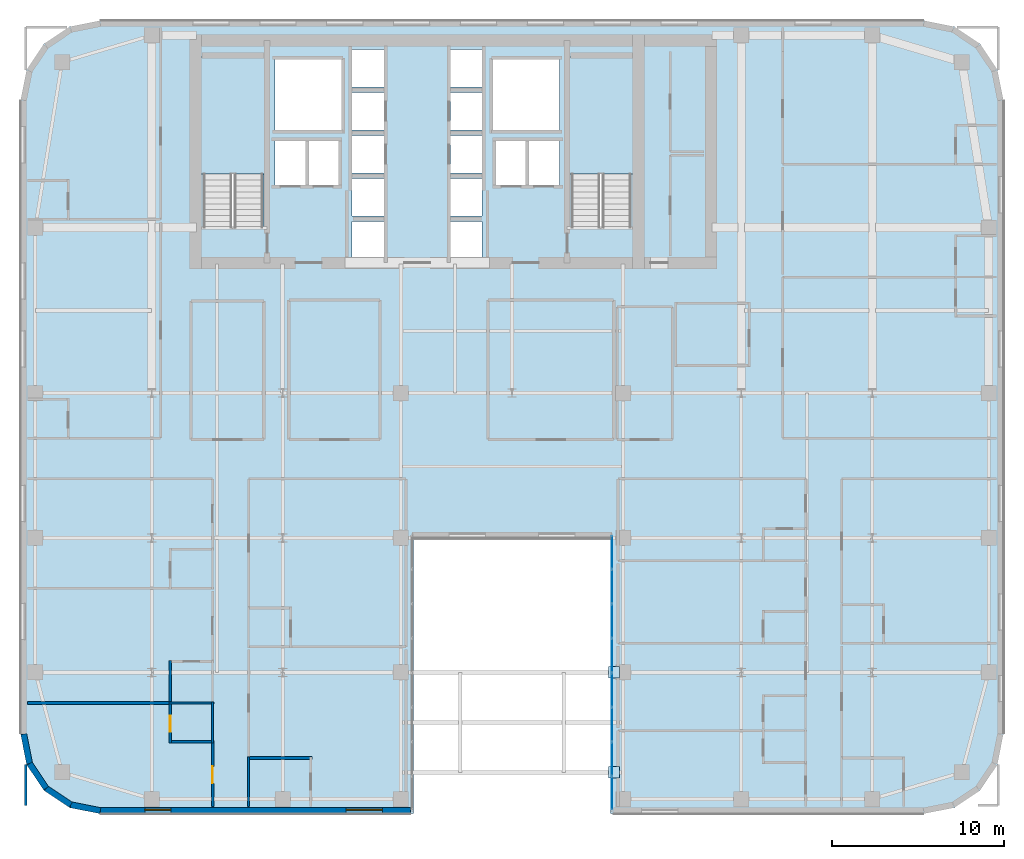
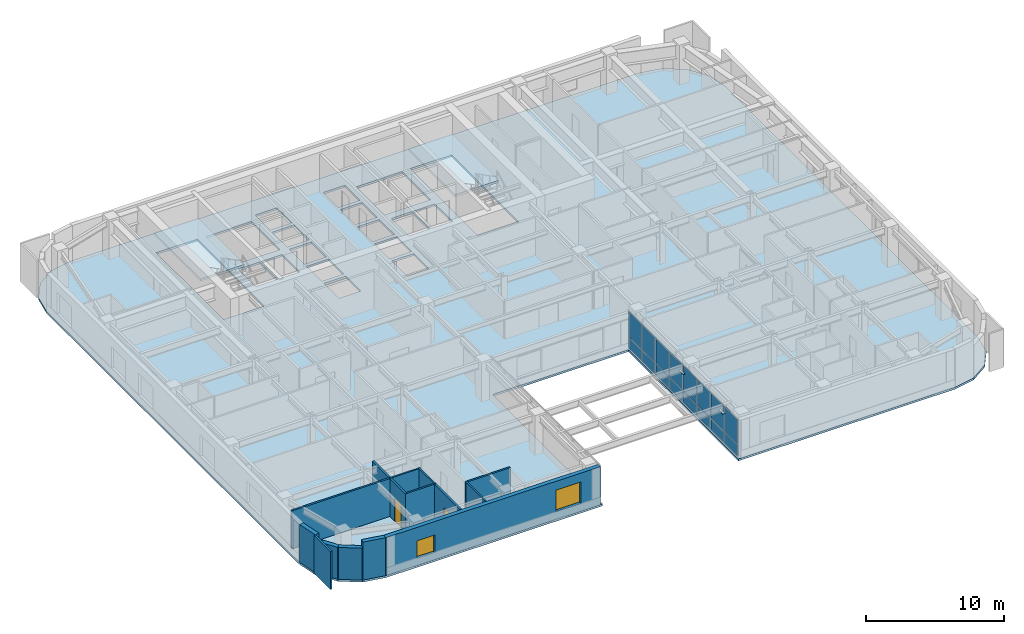
# One storey, part 13 of 24: 18 plates, 15 walls, 3 slabs, 2 doors, 2 windows, 4 openings, 3 elements without a shape of their own.
"""IFC4 building model written with IfcOpenShell, lengths in metres."""

import ifcopenshell
import ifcopenshell.guid

model = None  # the IFC model being written
_history = None  # IfcOwnerHistory: only IFC2X3 demands one
_inside = {}  # id of a spatial element -> (the spatial element, [elements in it])
_under = {}  # id of a project, library or spatial element -> (it, [spatial elements below it])
_declared = {}  # id of a project -> (the project, [libraries it declares])
_typed = {}  # id of a type object -> (the type object, [elements of that type])
_made_of = {}  # id of a material, layer set ... -> (it, [elements and type objects made of it])


def new_model(schema):
    """Start an empty IFC model of exactly this schema.

    Asked for "IFC4X3", IfcOpenShell would pick the latest addendum, in which some entities
    have other attributes; the version numbers below select the first issue.
    IFC2X3 requires an IfcOwnerHistory on every rooted entity: one is made here for all.
    """
    global model, _history
    if schema == "IFC4X3":
        model = ifcopenshell.file(schema_version=(4, 3, 0, 0))
    else:
        model = ifcopenshell.file(schema=schema)
    _inside.clear()
    _under.clear()
    _declared.clear()
    _typed.clear()
    _made_of.clear()
    _history = None
    if model.schema == "IFC2X3":
        org = make("IfcOrganization", Name="unknown")
        user = make(
            "IfcPersonAndOrganization",
            ThePerson=make("IfcPerson", FamilyName="unknown"),
            TheOrganization=org,
        )
        app = make(
            "IfcApplication",
            ApplicationDeveloper=org,
            Version="unknown",
            ApplicationFullName="unknown",
            ApplicationIdentifier="unknown",
        )
        _history = make(
            "IfcOwnerHistory",
            OwningUser=user,
            OwningApplication=app,
            ChangeAction="ADDED",
            CreationDate=0,
        )
    return model


def make(cls, **values):
    """One entity of the class cls with the attributes given. An attribute that is None is left unset."""
    return model.create_entity(
        cls, **{name: value for name, value in values.items() if value is not None}
    )


def rooted(cls, **values):
    """An entity with a GlobalId (a new one), such as an element, a storey or a relation."""
    return make(cls, GlobalId=ifcopenshell.guid.new(), OwnerHistory=_history, **values)


def si_unit(unit_type, name, prefix=None):
    """IfcSIUnit, for example si_unit("LENGTHUNIT", "METRE", prefix="MILLI")."""
    return make("IfcSIUnit", UnitType=unit_type, Prefix=prefix, Name=name)


def assignment(units):
    """IfcUnitAssignment: the units of a project."""
    return None if units is None else make("IfcUnitAssignment", Units=units)


def point(xyz):
    """IfcCartesianPoint."""
    return None if xyz is None else make("IfcCartesianPoint", Coordinates=xyz)


def direction(xyz):
    """IfcDirection."""
    return None if xyz is None else make("IfcDirection", DirectionRatios=xyz)


def frame(location, z_axis=None, x_axis=None):
    """IfcAxis2Placement3D, a coordinate frame: its origin and axes. An axis left out is left unset."""
    return make(
        "IfcAxis2Placement3D",
        Location=point(location),
        Axis=direction(z_axis),
        RefDirection=direction(x_axis),
    )


def frame_2d(location, x_axis=None):
    """IfcAxis2Placement2D, a coordinate frame in the plane: its origin and x axis."""
    return make(
        "IfcAxis2Placement2D", Location=point(location), RefDirection=direction(x_axis)
    )


def origin():
    """The frame at (0, 0, 0) with its axes left unset."""
    return frame((0.0, 0.0, 0.0))


def origin_2d():
    """The frame at (0, 0) in the plane with its x axis left unset."""
    return frame_2d((0.0, 0.0))


def place(relative_to, where):
    """IfcLocalPlacement: puts the frame where relative to a parent placement (None: the world)."""
    return make(
        "IfcLocalPlacement", PlacementRelTo=relative_to, RelativePlacement=where
    )


def context(
    kind, dimensions, precision=None, world=None, true_north=None, identifier=None
):
    """IfcGeometricRepresentationContext, for example the 3D "Model" context."""
    return make(
        "IfcGeometricRepresentationContext",
        ContextIdentifier=identifier,
        ContextType=kind,
        CoordinateSpaceDimension=dimensions,
        Precision=precision,
        WorldCoordinateSystem=world,
        TrueNorth=true_north,
    )


def subcontext(parent, identifier, kind, view, scale=None):
    """IfcGeometricRepresentationSubContext, for example "Body" below "Model"."""
    return make(
        "IfcGeometricRepresentationSubContext",
        ContextIdentifier=identifier,
        ContextType=kind,
        ParentContext=parent,
        TargetScale=scale,
        TargetView=view,
    )


def project(units=None, contexts=None):
    """IfcProject with its units and contexts."""
    return rooted(
        "IfcProject",
        Name="project",
        RepresentationContexts=contexts,
        UnitsInContext=assignment(units),
    )


def spatial(cls, under=None, at=None, **own):
    """A site, building, storey or space (cls), placed at a placement, below another one or the project."""
    s = rooted(cls, ObjectPlacement=at, **own)
    if under is not None:
        _under.setdefault(under.id(), (under, []))[1].append(s)
    return s


def polyline(points):
    """IfcPolyline through the points."""
    return make("IfcPolyline", Points=[point(p) for p in points])


def profile(cls, at=None, kind="AREA", **sizes):
    """A parametric profile (cls). Its sizes go by their IFC names, for example OverallWidth=200.0."""
    return make(cls, ProfileType=kind, Position=at, **sizes)


def rectangle(**sizes):
    """IfcRectangleProfileDef."""
    return profile("IfcRectangleProfileDef", **sizes)


def outline(outer, holes=None, kind="AREA"):
    """IfcArbitraryClosedProfileDef: a profile drawn as a closed curve; with holes, ...WithVoids."""
    if holes is None:
        return make("IfcArbitraryClosedProfileDef", ProfileType=kind, OuterCurve=outer)
    return make(
        "IfcArbitraryProfileDefWithVoids",
        ProfileType=kind,
        OuterCurve=outer,
        InnerCurves=holes,
    )


def extrude(swept, where, along, depth):
    """IfcExtrudedAreaSolid: the profile swept, set in the frame where, extruded along a direction by depth."""
    return make(
        "IfcExtrudedAreaSolid",
        SweptArea=swept,
        Position=where,
        ExtrudedDirection=direction(along),
        Depth=depth,
    )


def shape(context_of_items, identifier, shape_type, items):
    """IfcShapeRepresentation: the items that make up one representation, for example the "Body"."""
    return make(
        "IfcShapeRepresentation",
        ContextOfItems=context_of_items,
        RepresentationIdentifier=identifier,
        RepresentationType=shape_type,
        Items=items,
    )


def source(mapping_origin, context_of_items, identifier, shape_type, items):
    """IfcRepresentationMap: a shape defined once, which mapped items show again and again."""
    return make(
        "IfcRepresentationMap",
        MappingOrigin=mapping_origin,
        MappedRepresentation=shape(context_of_items, identifier, shape_type, items),
    )


def transform(
    local_origin,
    x_axis=None,
    y_axis=None,
    z_axis=None,
    scale=None,
    scale2=None,
    scale3=None,
    uniform=True,
):
    """IfcCartesianTransformationOperator3D, or its non-uniform kind. x_axis, y_axis, z_axis: its Axis1, 2, 3."""
    if uniform:
        return make(
            "IfcCartesianTransformationOperator3D",
            Axis1=direction(x_axis),
            Axis2=direction(y_axis),
            LocalOrigin=point(local_origin),
            Scale=scale,
            Axis3=direction(z_axis),
        )
    return make(
        "IfcCartesianTransformationOperator3DnonUniform",
        Axis1=direction(x_axis),
        Axis2=direction(y_axis),
        LocalOrigin=point(local_origin),
        Scale=scale,
        Axis3=direction(z_axis),
        Scale2=scale2,
        Scale3=scale3,
    )


def mapped(mapping_source, mapping_target):
    """IfcMappedItem: shows the shape of a source again, moved by a transform."""
    return make(
        "IfcMappedItem", MappingSource=mapping_source, MappingTarget=mapping_target
    )


def material(Name=None, Category=None):
    """IfcMaterial."""
    return make("IfcMaterial", Name=Name, Category=Category)


def layer(
    of_material, thickness, ventilated=None, Name=None, Category=None, Priority=None
):
    """IfcMaterialLayer: one layer of a wall or slab, of a material (None: an air gap)."""
    return make(
        "IfcMaterialLayer",
        Material=of_material,
        LayerThickness=thickness,
        IsVentilated=ventilated,
        Name=Name,
        Category=Category,
        Priority=Priority,
    )


def layer_set(layers, Name=None):
    """IfcMaterialLayerSet."""
    return make("IfcMaterialLayerSet", MaterialLayers=layers, LayerSetName=Name)


def made_of(thing, what):
    """Note that an element or type object is made of a material, layer set ...; save() writes the relation."""
    if what is not None:
        _made_of.setdefault(what.id(), (what, []))[1].append(thing)
    return thing


def type_object(cls, material=None, **own):
    """A type object (cls), such as IfcWallType, which elements share."""
    return made_of(rooted(cls, **own), material)


def type_shapes(of_type, sources):
    """Give a type object the sources (RepresentationMaps) that its elements show as mapped items."""
    of_type.RepresentationMaps = sources


def element(
    cls,
    number,
    at=None,
    inside=None,
    cuts=None,
    type_object=None,
    material=None,
    context=None,
    identifier="Body",
    shape_type=None,
    held_by="IfcProductDefinitionShape",
    body=None,
    shapes=None,
    **own,
):
    """One element of the class cls, such as IfcWall. Its Tag is "e" and its number.

    at: its placement. inside: the storey or other place that contains it. cuts: it is an
    opening in that element (IfcRelVoidsElement). A single representation is given by context,
    identifier, shape_type and body (its items); several are given by shapes. held_by: the class
    of the entity that holds the representations. save() writes the other relations.
    """
    e = rooted(cls, Tag="e%d" % number, ObjectPlacement=at, **own)
    if body is not None:
        shapes = [shape(context, identifier, shape_type, body)]
    if shapes is not None:
        e.Representation = make(held_by, Representations=shapes)
    if inside is not None:
        _inside.setdefault(inside.id(), (inside, []))[1].append(e)
    if cuts is not None:
        rooted(
            "IfcRelVoidsElement", RelatingBuildingElement=cuts, RelatedOpeningElement=e
        )
    if type_object is not None:
        _typed.setdefault(type_object.id(), (type_object, []))[1].append(e)
    return made_of(e, material)


def fill(opening, filler):
    """IfcRelFillsElement: the door or window that sits in an opening."""
    return rooted(
        "IfcRelFillsElement",
        RelatingOpeningElement=opening,
        RelatedBuildingElement=filler,
    )


def aggregate(whole, parts):
    """IfcRelAggregates: a whole, such as a stair, and the parts it consists of."""
    return rooted("IfcRelAggregates", RelatingObject=whole, RelatedObjects=parts)


def save(model, path):
    """Write the relations noted so far, then the file.

    IfcRelAggregates (storeys below a building ...), IfcRelContainedInSpatialStructure (elements
    in a storey), IfcRelDefinesByType, IfcRelAssociatesMaterial and IfcRelDeclares: one each for
    every whole, place, type object, material and project.
    """
    for whole, parts in _under.values():
        aggregate(whole, parts)
    for where, things in _inside.values():
        rooted(
            "IfcRelContainedInSpatialStructure",
            RelatedElements=things,
            RelatingStructure=where,
        )
    for kind, things in _typed.values():
        rooted("IfcRelDefinesByType", RelatedObjects=things, RelatingType=kind)
    for what, things in _made_of.values():
        rooted("IfcRelAssociatesMaterial", RelatedObjects=things, RelatingMaterial=what)
    for by, libraries in _declared.values():
        rooted("IfcRelDeclares", RelatingContext=by, RelatedDefinitions=libraries)
    model.write(path)


model = new_model("IFC4")

# Units and contexts
model_context = context("Model", 3, precision=1e-05, world=origin(), true_north=direction((0.0, 1.0)))
body_context = subcontext(model_context, "Body", "Model", "MODEL_VIEW")
ifc_project = project(units=[si_unit("LENGTHUNIT", "METRE"), si_unit("AREAUNIT", "SQUARE_METRE"), si_unit("VOLUMEUNIT", "CUBIC_METRE"), si_unit("PLANEANGLEUNIT", "RADIAN"), si_unit("MASSUNIT", "GRAM", prefix="KILO")], contexts=[model_context])

# Site, building, storey
site_placement = place(None, origin())
site = spatial("IfcSite", under=ifc_project, at=site_placement, CompositionType="ELEMENT")
building_placement = place(site_placement, origin())
building = spatial("IfcBuilding", under=site, at=building_placement, Name="Tolvann Quenvar Hotel", CompositionType="ELEMENT")
storey_placement = place(building_placement, frame((0.0, 0.0, 118.64990234375)))
storey = spatial("IfcBuildingStorey", under=building, at=storey_placement, Name="L30", CompositionType="ELEMENT", Elevation=118.64990234375)

# Stair, slab
ifc_material_1 = material(Name="Concrete N40 (40 MPa)", Category="concrete")
stair_type = type_object("IfcStairType", Name="STAIR", PredefinedType="HALF_TURN_STAIR", material=ifc_material_1)
stair_1_placement = place(storey_placement, origin())
stair_1 = element("IfcStair", 1, at=stair_1_placement, inside=storey, type_object=stair_type, Name="L30 ST-C1", PredefinedType="HALF_TURN_STAIR")
ifc_layer_1 = layer(ifc_material_1, 0.199951171875)
ifc_layer_set_1 = layer_set([ifc_layer_1], Name="Concrete N40 (40 MPa)")
slab_type_1 = type_object("IfcSlabType", Name="SLAB_LANDING", PredefinedType="LANDING", material=ifc_layer_set_1)
slab_1_placement = place(storey_placement, frame((0.0, 0.0, 1.5751953125)))
slab_1 = element("IfcSlab", 2, at=slab_1_placement, type_object=slab_type_1, Name="ST-C1 landing 1", PredefinedType="LANDING", context=body_context, shape_type="SweptSolid", body=[
    extrude(outline(polyline([(14.179931640625, 37.10498046875), (14.179931640625, 43.8798828125), (10.469970703125, 43.8798828125), (10.469970703125, 37.10498046875), (14.179931640625, 37.10498046875)])), origin(), (0.0, 0.0, 1.0), 0.199951171875),
])
aggregate(stair_1, [slab_1])

stair_2_placement = place(storey_placement, origin())
stair_2 = element("IfcStair", 3, at=stair_2_placement, inside=storey, type_object=stair_type, Name="L30 ST-C2", PredefinedType="HALF_TURN_STAIR")
slab_2_placement = place(storey_placement, frame((0.0, 0.0, 1.5751953125)))
slab_2 = element("IfcSlab", 4, at=slab_2_placement, type_object=slab_type_1, Name="ST-C2 landing 1", PredefinedType="LANDING", context=body_context, shape_type="SweptSolid", body=[
    extrude(outline(polyline([(35.530029296875, 37.10498046875), (35.530029296875, 43.8798828125), (31.820068359375, 43.8798828125), (31.820068359375, 37.10498046875), (35.530029296875, 37.10498046875)])), origin(), (0.0, 0.0, 1.0), 0.199951171875),
])
aggregate(stair_2, [slab_2])

# Slab
ifc_layer_2 = layer(ifc_material_1, 0.179931640625)
ifc_layer_set_2 = layer_set([ifc_layer_2], Name="Concrete N40 (40 MPa)")
slab_type_2 = type_object("IfcSlabType", Name="SLAB_TWR_180", PredefinedType="FLOOR", material=ifc_layer_set_2)
slab_3_placement = place(storey_placement, frame((0.0, 0.0, -0.179931640625)))
element("IfcSlab", 5, at=slab_3_placement, inside=storey, type_object=slab_type_2, Name="Level L30 Structural Floor Slab", PredefinedType="FLOOR", context=body_context, shape_type="SweptSolid", body=[
    extrude(outline(polyline([(0.0, 4.60009765625), (0.35009765625, 2.839599609375), (1.347412109375, 1.347412109375), (2.839599609375, 0.35009765625), (4.60009765625, 0.0), (22.800048828125, 0.0), (22.800048828125, 16.0), (34.199951171875, 16.0), (34.199951171875, 0.0), (52.39990234375, 0.0), (54.160400390625, 0.35009765625), (55.652587890625, 1.347412109375), (56.64990234375, 2.839599609375), (57.0, 4.60009765625), (57.0, 41.39990234375), (56.64990234375, 43.160400390625), (55.652587890625, 44.652587890625), (54.160400390625, 45.64990234375), (52.39990234375, 46.0), (4.60009765625, 46.0), (2.839599609375, 45.64990234375), (1.347412109375, 44.652587890625), (0.35009765625, 43.160400390625), (0.0, 41.39990234375), (0.0, 4.60009765625)]), holes=[polyline([(31.949951171875, 34.02490234375), (31.949951171875, 43.800048828125), (35.39990234375, 43.800048828125), (35.39990234375, 34.02490234375), (31.949951171875, 34.02490234375)]), polyline([(29.449951171875, 39.02001953125), (31.25, 39.02001953125), (31.25, 36.47998046875), (29.449951171875, 36.47998046875), (29.449951171875, 39.02001953125)]), polyline([(31.25, 43.75), (31.25, 39.64990234375), (27.39990234375, 39.64990234375), (27.39990234375, 43.75), (31.25, 43.75)]), polyline([(27.574951171875, 39.02001953125), (29.324951171875, 39.02001953125), (29.324951171875, 36.47998046875), (27.574951171875, 36.47998046875), (27.574951171875, 39.02001953125)]), polyline([(26.77001953125, 44.340087890625), (26.77001953125, 42.159912109375), (24.929931640625, 42.159912109375), (24.929931640625, 44.340087890625), (26.77001953125, 44.340087890625)]), polyline([(24.929931640625, 41.840087890625), (26.77001953125, 41.840087890625), (26.77001953125, 39.659912109375), (24.929931640625, 39.659912109375), (24.929931640625, 41.840087890625)]), polyline([(24.929931640625, 39.340087890625), (26.77001953125, 39.340087890625), (26.77001953125, 37.159912109375), (24.929931640625, 37.159912109375), (24.929931640625, 39.340087890625)]), polyline([(24.929931640625, 36.840087890625), (26.77001953125, 36.840087890625), (26.77001953125, 34.659912109375), (24.929931640625, 34.659912109375), (24.929931640625, 36.840087890625)]), polyline([(24.929931640625, 34.340087890625), (26.77001953125, 34.340087890625), (26.77001953125, 32.159912109375), (24.929931640625, 32.159912109375), (24.929931640625, 34.340087890625)]), polyline([(21.070068359375, 44.340087890625), (21.070068359375, 42.159912109375), (19.22998046875, 42.159912109375), (19.22998046875, 44.340087890625), (21.070068359375, 44.340087890625)]), polyline([(19.22998046875, 41.840087890625), (21.070068359375, 41.840087890625), (21.070068359375, 39.659912109375), (19.22998046875, 39.659912109375), (19.22998046875, 41.840087890625)]), polyline([(19.22998046875, 39.340087890625), (21.070068359375, 39.340087890625), (21.070068359375, 37.159912109375), (19.22998046875, 37.159912109375), (19.22998046875, 39.340087890625)]), polyline([(19.22998046875, 36.840087890625), (21.070068359375, 36.840087890625), (21.070068359375, 34.659912109375), (19.22998046875, 34.659912109375), (19.22998046875, 36.840087890625)]), polyline([(19.22998046875, 34.340087890625), (21.070068359375, 34.340087890625), (21.070068359375, 32.159912109375), (19.22998046875, 32.159912109375), (19.22998046875, 34.340087890625)]), polyline([(18.60009765625, 43.75), (18.60009765625, 39.64990234375), (14.75, 39.64990234375), (14.75, 43.75), (18.60009765625, 43.75)]), polyline([(16.675048828125, 39.02001953125), (18.425048828125, 39.02001953125), (18.425048828125, 36.47998046875), (16.675048828125, 36.47998046875), (16.675048828125, 39.02001953125)]), polyline([(14.75, 39.02001953125), (16.550048828125, 39.02001953125), (16.550048828125, 36.47998046875), (14.75, 36.47998046875), (14.75, 39.02001953125)]), polyline([(10.60009765625, 34.02490234375), (10.60009765625, 43.800048828125), (14.050048828125, 43.800048828125), (14.050048828125, 34.02490234375), (10.60009765625, 34.02490234375)])]), origin(), (0.0, 0.0, 1.0), 0.179931640625),
])

# Plates
ifc_material_2 = material(Name="Steel Grade 350", Category="steel")
ifc_layer_3 = layer(ifc_material_2, 0.050048828125)
ifc_layer_set_3 = layer_set([ifc_layer_3], Name="Steel Grade 350")
plate_type_1 = type_object("IfcPlateType", Name="PLT_BASE_50", PredefinedType="SHEET", material=ifc_layer_set_3)
shared_shape_1 = source(origin(), body_context, "Body", "SweptSolid", [
    extrude(rectangle(XDim=0.64990234375, YDim=0.64990234375, at=origin_2d()), origin(), (0.0, 0.0, 1.0), 0.050048828125),
])
type_shapes(plate_type_1, [shared_shape_1])
for number, where, z_axis, x_axis, name in (
    (6, (34.425048828125, 2.39990234375, 2.7080078125), (0.0, 0.0, 1.0), (1.0, 0.0, 0.0), "Skybridge PTFE Sliding Bearing Seat Plate 650mm (L31-S)"),
    (7, (34.425048828125, 8.199951171875, 2.7080078125), (0.0, 0.0, 1.0), (1.0, 0.0, 0.0), "Skybridge PTFE Sliding Bearing Seat Plate 650mm (L31-N)"),
):
    element("IfcPlate", number, at=place(storey_placement, frame(where, z_axis=z_axis, x_axis=x_axis)), inside=storey, type_object=plate_type_1, Name=name, PredefinedType="SHEET", context=body_context, shape_type="MappedRepresentation", body=[
        mapped(shared_shape_1, transform((0.0, 0.0, 0.0), x_axis=(1.0, 0.0, 0.0), y_axis=(0.0, 1.0, 0.0), z_axis=(0.0, 0.0, 1.0), scale=1.0)),
    ])

# Curtain wall, plates
ifc_material_3 = material(Name="Thermally broken anodised architectural aluminium 6063-T6 and laminated low-E glass", Category="aluminium")
ifc_layer_4 = layer(ifc_material_3, 0.179931640625)
ifc_layer_set_4 = layer_set([ifc_layer_4], Name="Thermally broken anodised architectural aluminium 6063-T6 and laminated low-E glass")
curtain_wall_type = type_object("IfcCurtainWallType", Name="CW_SYS_SLOT_03", PredefinedType="USERDEFINED", material=ifc_layer_set_4)
curtain_wall_placement = place(storey_placement, origin())
curtain_wall = element("IfcCurtainWall", 8, at=curtain_wall_placement, inside=storey, type_object=curtain_wall_type, Name="Curtain Wall CW-SLOT-03 (CWR-L30-E07)", ObjectType="UNITISED CURTAIN WALL", PredefinedType="USERDEFINED")
ifc_material_4 = material(Name="Low-iron laminated double glazing with solar-control coating", Category="glass")
ifc_layer_5 = layer(ifc_material_4, 0.028076171875)
ifc_layer_set_5 = layer_set([ifc_layer_5], Name="Low-iron laminated double glazing with solar-control coating")
plate_type_2 = type_object("IfcPlateType", Name="CW_PAN_VISION_28", PredefinedType="CURTAIN_PANEL", material=ifc_layer_set_5)
shared_shape_2 = source(origin(), body_context, "Body", "SweptSolid", [
    extrude(rectangle(XDim=1.89501953125, YDim=0.028076171875, at=origin_2d()), origin(), (0.0, 0.0, 1.0), 0.9599609375),
])
plate_1_placement = place(storey_placement, frame((34.2900390625, 15.157470703125, 0.06005859375), z_axis=(0.0, 0.0, 1.0), x_axis=(0.0, -1.0, 0.0)))
plate_1 = element("IfcPlate", 9, at=plate_1_placement, type_object=plate_type_2, Name="CW-SLOT-03 panel 1.1", PredefinedType="CURTAIN_PANEL", context=body_context, shape_type="MappedRepresentation", body=[
    mapped(shared_shape_2, transform((0.0, 0.0, 0.0), x_axis=(1.0, 0.0, 0.0), y_axis=(0.0, 1.0, 0.0), z_axis=(0.0, 0.0, 1.0), scale=1.0)),
])
plate_2_placement = place(storey_placement, frame((34.2900390625, 1.1923828125, 0.06005859375), z_axis=(0.0, 0.0, 1.0), x_axis=(0.0, -1.0, 0.0)))
plate_2 = element("IfcPlate", 10, at=plate_2_placement, type_object=plate_type_2, Name="CW-SLOT-03 panel 8.1", PredefinedType="CURTAIN_PANEL", context=body_context, shape_type="MappedRepresentation", body=[
    mapped(shared_shape_2, transform((0.0, 0.0, 0.0), x_axis=(1.0, 0.0, 0.0), y_axis=(0.0, 1.0, 0.0), z_axis=(0.0, 0.0, 1.0), scale=1.0)),
])
shared_shape_3 = source(origin(), body_context, "Body", "SweptSolid", [
    extrude(rectangle(XDim=1.89501953125, YDim=0.028076171875, at=origin_2d()), origin(), (0.0, 0.0, 1.0), 2.22998046875),
])
plate_3_placement = place(storey_placement, frame((34.2900390625, 15.157470703125, 1.080078125), z_axis=(0.0, 0.0, 1.0), x_axis=(0.0, -1.0, 0.0)))
plate_3 = element("IfcPlate", 11, at=plate_3_placement, type_object=plate_type_2, Name="CW-SLOT-03 panel 1.2", PredefinedType="CURTAIN_PANEL", context=body_context, shape_type="MappedRepresentation", body=[
    mapped(shared_shape_3, transform((0.0, 0.0, 0.0), x_axis=(1.0, 0.0, 0.0), y_axis=(0.0, 1.0, 0.0), z_axis=(0.0, 0.0, 1.0), scale=1.0)),
])
plate_4_placement = place(storey_placement, frame((34.2900390625, 1.1923828125, 1.080078125), z_axis=(0.0, 0.0, 1.0), x_axis=(0.0, -1.0, 0.0)))
plate_4 = element("IfcPlate", 12, at=plate_4_placement, type_object=plate_type_2, Name="CW-SLOT-03 panel 8.2", PredefinedType="CURTAIN_PANEL", context=body_context, shape_type="MappedRepresentation", body=[
    mapped(shared_shape_3, transform((0.0, 0.0, 0.0), x_axis=(1.0, 0.0, 0.0), y_axis=(0.0, 1.0, 0.0), z_axis=(0.0, 0.0, 1.0), scale=1.0)),
])
shared_shape_4 = source(origin(), body_context, "Body", "SweptSolid", [
    extrude(rectangle(XDim=1.929931640625, YDim=0.028076171875, at=origin_2d()), origin(), (0.0, 0.0, 1.0), 0.9599609375),
])
plate_5_placement = place(storey_placement, frame((34.2900390625, 13.175048828125, 0.06005859375), z_axis=(0.0, 0.0, 1.0), x_axis=(0.0, -1.0, 0.0)))
plate_5 = element("IfcPlate", 13, at=plate_5_placement, type_object=plate_type_2, Name="CW-SLOT-03 panel 2.1", PredefinedType="CURTAIN_PANEL", context=body_context, shape_type="MappedRepresentation", body=[
    mapped(shared_shape_4, transform((0.0, 0.0, 0.0), x_axis=(1.0, 0.0, 0.0), y_axis=(0.0, 1.0, 0.0), z_axis=(0.0, 0.0, 1.0), scale=1.0)),
])
plate_6_placement = place(storey_placement, frame((34.2900390625, 11.175048828125, 0.06005859375), z_axis=(0.0, 0.0, 1.0), x_axis=(0.0, -1.0, 0.0)))
plate_6 = element("IfcPlate", 14, at=plate_6_placement, type_object=plate_type_2, Name="CW-SLOT-03 panel 3.1", PredefinedType="CURTAIN_PANEL", context=body_context, shape_type="MappedRepresentation", body=[
    mapped(shared_shape_4, transform((0.0, 0.0, 0.0), x_axis=(1.0, 0.0, 0.0), y_axis=(0.0, 1.0, 0.0), z_axis=(0.0, 0.0, 1.0), scale=1.0)),
])
plate_7_placement = place(storey_placement, frame((34.2900390625, 9.175048828125, 0.06005859375), z_axis=(0.0, 0.0, 1.0), x_axis=(0.0, -1.0, 0.0)))
plate_7 = element("IfcPlate", 15, at=plate_7_placement, type_object=plate_type_2, Name="CW-SLOT-03 panel 4.1", PredefinedType="CURTAIN_PANEL", context=body_context, shape_type="MappedRepresentation", body=[
    mapped(shared_shape_4, transform((0.0, 0.0, 0.0), x_axis=(1.0, 0.0, 0.0), y_axis=(0.0, 1.0, 0.0), z_axis=(0.0, 0.0, 1.0), scale=1.0)),
])
plate_8_placement = place(storey_placement, frame((34.2900390625, 7.175048828125, 0.06005859375), z_axis=(0.0, 0.0, 1.0), x_axis=(0.0, -1.0, 0.0)))
plate_8 = element("IfcPlate", 16, at=plate_8_placement, type_object=plate_type_2, Name="CW-SLOT-03 panel 5.1", PredefinedType="CURTAIN_PANEL", context=body_context, shape_type="MappedRepresentation", body=[
    mapped(shared_shape_4, transform((0.0, 0.0, 0.0), x_axis=(1.0, 0.0, 0.0), y_axis=(0.0, 1.0, 0.0), z_axis=(0.0, 0.0, 1.0), scale=1.0)),
])
plate_9_placement = place(storey_placement, frame((34.2900390625, 5.175048828125, 0.06005859375), z_axis=(0.0, 0.0, 1.0), x_axis=(0.0, -1.0, 0.0)))
plate_9 = element("IfcPlate", 17, at=plate_9_placement, type_object=plate_type_2, Name="CW-SLOT-03 panel 6.1", PredefinedType="CURTAIN_PANEL", context=body_context, shape_type="MappedRepresentation", body=[
    mapped(shared_shape_4, transform((0.0, 0.0, 0.0), x_axis=(1.0, 0.0, 0.0), y_axis=(0.0, 1.0, 0.0), z_axis=(0.0, 0.0, 1.0), scale=1.0)),
])
plate_10_placement = place(storey_placement, frame((34.2900390625, 3.175048828125, 0.06005859375), z_axis=(0.0, 0.0, 1.0), x_axis=(0.0, -1.0, 0.0)))
plate_10 = element("IfcPlate", 18, at=plate_10_placement, type_object=plate_type_2, Name="CW-SLOT-03 panel 7.1", PredefinedType="CURTAIN_PANEL", context=body_context, shape_type="MappedRepresentation", body=[
    mapped(shared_shape_4, transform((0.0, 0.0, 0.0), x_axis=(1.0, 0.0, 0.0), y_axis=(0.0, 1.0, 0.0), z_axis=(0.0, 0.0, 1.0), scale=1.0)),
])
shared_shape_5 = source(origin(), body_context, "Body", "SweptSolid", [
    extrude(rectangle(XDim=1.929931640625, YDim=0.028076171875, at=origin_2d()), origin(), (0.0, 0.0, 1.0), 2.22998046875),
])
type_shapes(plate_type_2, [shared_shape_2, shared_shape_3, shared_shape_4, shared_shape_5])
plate_11_placement = place(storey_placement, frame((34.2900390625, 13.175048828125, 1.080078125), z_axis=(0.0, 0.0, 1.0), x_axis=(0.0, -1.0, 0.0)))
plate_11 = element("IfcPlate", 19, at=plate_11_placement, type_object=plate_type_2, Name="CW-SLOT-03 panel 2.2", PredefinedType="CURTAIN_PANEL", context=body_context, shape_type="MappedRepresentation", body=[
    mapped(shared_shape_5, transform((0.0, 0.0, 0.0), x_axis=(1.0, 0.0, 0.0), y_axis=(0.0, 1.0, 0.0), z_axis=(0.0, 0.0, 1.0), scale=1.0)),
])
plate_12_placement = place(storey_placement, frame((34.2900390625, 11.175048828125, 1.080078125), z_axis=(0.0, 0.0, 1.0), x_axis=(0.0, -1.0, 0.0)))
plate_12 = element("IfcPlate", 20, at=plate_12_placement, type_object=plate_type_2, Name="CW-SLOT-03 panel 3.2", PredefinedType="CURTAIN_PANEL", context=body_context, shape_type="MappedRepresentation", body=[
    mapped(shared_shape_5, transform((0.0, 0.0, 0.0), x_axis=(1.0, 0.0, 0.0), y_axis=(0.0, 1.0, 0.0), z_axis=(0.0, 0.0, 1.0), scale=1.0)),
])
plate_13_placement = place(storey_placement, frame((34.2900390625, 9.175048828125, 1.080078125), z_axis=(0.0, 0.0, 1.0), x_axis=(0.0, -1.0, 0.0)))
plate_13 = element("IfcPlate", 21, at=plate_13_placement, type_object=plate_type_2, Name="CW-SLOT-03 panel 4.2", PredefinedType="CURTAIN_PANEL", context=body_context, shape_type="MappedRepresentation", body=[
    mapped(shared_shape_5, transform((0.0, 0.0, 0.0), x_axis=(1.0, 0.0, 0.0), y_axis=(0.0, 1.0, 0.0), z_axis=(0.0, 0.0, 1.0), scale=1.0)),
])
plate_14_placement = place(storey_placement, frame((34.2900390625, 7.175048828125, 1.080078125), z_axis=(0.0, 0.0, 1.0), x_axis=(0.0, -1.0, 0.0)))
plate_14 = element("IfcPlate", 22, at=plate_14_placement, type_object=plate_type_2, Name="CW-SLOT-03 panel 5.2", PredefinedType="CURTAIN_PANEL", context=body_context, shape_type="MappedRepresentation", body=[
    mapped(shared_shape_5, transform((0.0, 0.0, 0.0), x_axis=(1.0, 0.0, 0.0), y_axis=(0.0, 1.0, 0.0), z_axis=(0.0, 0.0, 1.0), scale=1.0)),
])
plate_15_placement = place(storey_placement, frame((34.2900390625, 5.175048828125, 1.080078125), z_axis=(0.0, 0.0, 1.0), x_axis=(0.0, -1.0, 0.0)))
plate_15 = element("IfcPlate", 23, at=plate_15_placement, type_object=plate_type_2, Name="CW-SLOT-03 panel 6.2", PredefinedType="CURTAIN_PANEL", context=body_context, shape_type="MappedRepresentation", body=[
    mapped(shared_shape_5, transform((0.0, 0.0, 0.0), x_axis=(1.0, 0.0, 0.0), y_axis=(0.0, 1.0, 0.0), z_axis=(0.0, 0.0, 1.0), scale=1.0)),
])
plate_16_placement = place(storey_placement, frame((34.2900390625, 3.175048828125, 1.080078125), z_axis=(0.0, 0.0, 1.0), x_axis=(0.0, -1.0, 0.0)))
plate_16 = element("IfcPlate", 24, at=plate_16_placement, type_object=plate_type_2, Name="CW-SLOT-03 panel 7.2", PredefinedType="CURTAIN_PANEL", context=body_context, shape_type="MappedRepresentation", body=[
    mapped(shared_shape_5, transform((0.0, 0.0, 0.0), x_axis=(1.0, 0.0, 0.0), y_axis=(0.0, 1.0, 0.0), z_axis=(0.0, 0.0, 1.0), scale=1.0)),
])
aggregate(curtain_wall, [plate_1, plate_3, plate_5, plate_11, plate_6, plate_12, plate_7, plate_13, plate_8, plate_14, plate_9, plate_15, plate_10, plate_16, plate_2, plate_4])

# Walls
ifc_material_5 = material(Name="Kiln-fired red and buff architectural clay brickwork and terracotta masonry", Category="masonry")
ifc_layer_6 = layer(ifc_material_5, 0.35009765625)
ifc_layer_set_6 = layer_set([ifc_layer_6], Name="Kiln-fired red and buff architectural clay brickwork and terracotta masonry")
wall_type_1 = type_object("IfcWallType", Name="WALL_EXT_BRICK_350", PredefinedType="SOLIDWALL", material=ifc_layer_set_6)
for number, where, z_axis, x_axis, name in (
    (25, (0.514892578125, 2.907958984375, 0.0), (0.0, 0.0, 1.0), (0.55554893791, -0.831483840845, 0.0), "Exterior Chicago Brick Wall L30-E01"),
    (26, (1.473388671875, 1.473388671875, 0.0), (0.0, 0.0, 1.0), (0.831483840845, -0.55554893791, 0.0), "Exterior Chicago Brick Wall L30-E02"),
):
    element("IfcWall", number, at=place(storey_placement, frame(where, z_axis=z_axis, x_axis=x_axis)), inside=storey, type_object=wall_type_1, Name=name, PredefinedType="SOLIDWALL", context=body_context, shape_type="SweptSolid", body=[
        extrude(rectangle(XDim=1.725341796875, YDim=0.35009765625, at=frame_2d((0.86279296875, 0.0))), origin(), (0.0, 0.0, 1.0), 2.83203125),
    ])
wall_1_placement = place(storey_placement, frame((2.907958984375, 0.514892578125, 0.0), z_axis=(0.0, 0.0, 1.0), x_axis=(0.980800971659, -0.195011420161, 0.0)))
element("IfcWall", 27, at=wall_1_placement, inside=storey, type_object=wall_type_1, Name="Exterior Chicago Brick Wall L30-E03", PredefinedType="SOLIDWALL", context=body_context, shape_type="SweptSolid", body=[
    extrude(rectangle(XDim=1.74267578125, YDim=0.35009765625, at=frame_2d((0.871337890625, 0.0))), origin(), (0.0, 0.0, 1.0), 3.3701171875),
])

# Wall, openings, windows
wall_2_placement = place(storey_placement, frame((4.6171875, 0.175048828125, 0.0), z_axis=(0.0, 0.0, 1.0), x_axis=(1.0, 0.0, 0.0)))
wall_2 = element("IfcWall", 28, at=wall_2_placement, inside=storey, type_object=wall_type_1, Name="Exterior Chicago Brick Wall L30-E04", PredefinedType="SOLIDWALL", context=body_context, shape_type="SweptSolid", body=[
    extrude(rectangle(XDim=18.0078125, YDim=0.35009765625, at=frame_2d((9.00390625, 0.0))), origin(), (0.0, 0.0, 1.0), 3.3701171875),
])
opening_1_placement = place(wall_2_placement, frame((14.257080078125, 0.0, 0.679931640625)))
opening_1 = element("IfcOpeningElement", 29, at=opening_1_placement, cuts=wall_2, Name="Opening W-02", PredefinedType="OPENING", context=body_context, shape_type="SweptSolid", body=[
    extrude(rectangle(XDim=2.10009765625, YDim=1.89990234375, at=frame_2d((1.050048828125, 0.949951171875))), frame((0.0, 0.18505859375, 0.0), z_axis=(0.0, -1.0, 0.0), x_axis=(1.0, 0.0, 0.0)), (0.0, 0.0, 1.0), 0.3701171875),
])
opening_2_placement = place(wall_2_placement, frame((2.591064453125, 0.0, 0.6201171875)))
opening_2 = element("IfcOpeningElement", 30, at=opening_2_placement, cuts=wall_2, Name="Opening W-08", PredefinedType="OPENING", context=body_context, shape_type="SweptSolid", body=[
    extrude(rectangle(XDim=1.5, YDim=1.550048828125, at=frame_2d((0.75, 0.77490234375))), frame((0.0, 0.18505859375, 0.0), z_axis=(0.0, -1.0, 0.0), x_axis=(1.0, 0.0, 0.0)), (0.0, 0.0, 1.0), 0.3701171875),
])
ifc_material_6 = material(Name="Thermally broken bronze-anodised aluminium frame with double low-E glazing", Category="aluminium")
window_type_1 = type_object("IfcWindowType", Name="WIN_COR_1500x2050", PartitioningType="SINGLE_PANEL", PredefinedType="WINDOW", material=ifc_material_6)
shared_shape_6 = source(origin(), body_context, "Body", "SweptSolid", [
    extrude(rectangle(XDim=1.5, YDim=1.550048828125, at=frame_2d((0.75, 0.77490234375))), frame((0.0, 0.090087890625, 0.0), z_axis=(0.0, -1.0, 0.0), x_axis=(1.0, 0.0, 0.0)), (0.0, 0.0, 1.0), 0.06005859375),
])
type_shapes(window_type_1, [shared_shape_6])
window_1_placement = place(opening_2_placement, origin())
window_1 = element("IfcWindow", 31, at=window_1_placement, inside=storey, type_object=window_type_1, Name="Chicago Window W-08 (EW-L30-E04-WD02)", OverallHeight=1.550048828125, OverallWidth=1.5, PartitioningType="SINGLE_PANEL", PredefinedType="WINDOW", context=body_context, shape_type="MappedRepresentation", body=[
    mapped(shared_shape_6, transform((0.0, 0.0, 0.0), x_axis=(1.0, 0.0, 0.0), y_axis=(0.0, 1.0, 0.0), z_axis=(0.0, 0.0, 1.0), scale=1.0)),
])
fill(opening_2, window_1)
window_type_2 = type_object("IfcWindowType", Name="WIN_CHI_2100x2050", PartitioningType="TRIPLE_PANEL_HORIZONTAL", PredefinedType="WINDOW", material=ifc_material_6)
shared_shape_7 = source(origin(), body_context, "Body", "SweptSolid", [
    extrude(rectangle(XDim=2.10009765625, YDim=1.89990234375, at=frame_2d((1.050048828125, 0.949951171875))), frame((0.0, 0.090087890625, 0.0), z_axis=(0.0, -1.0, 0.0), x_axis=(1.0, 0.0, 0.0)), (0.0, 0.0, 1.0), 0.06005859375),
])
type_shapes(window_type_2, [shared_shape_7])
window_2_placement = place(opening_1_placement, origin())
window_2 = element("IfcWindow", 32, at=window_2_placement, inside=storey, type_object=window_type_2, Name="Chicago Window W-02 (EW-L30-E04-W01)", OverallHeight=1.89990234375, OverallWidth=2.10009765625, PartitioningType="TRIPLE_PANEL_HORIZONTAL", PredefinedType="WINDOW", context=body_context, shape_type="MappedRepresentation", body=[
    mapped(shared_shape_7, transform((0.0, 0.0, 0.0), x_axis=(1.0, 0.0, 0.0), y_axis=(0.0, 1.0, 0.0), z_axis=(0.0, 0.0, 1.0), scale=1.0)),
])
fill(opening_1, window_2)

# Walls
wall_3_placement = place(storey_placement, frame((0.175048828125, 4.6171875, 0.0), z_axis=(0.0, 0.0, 1.0), x_axis=(0.195011420161, -0.980800971659, 0.0)))
element("IfcWall", 33, at=wall_3_placement, inside=storey, type_object=wall_type_1, Name="Exterior Chicago Brick Wall L30-E24", PredefinedType="SOLIDWALL", context=body_context, shape_type="SweptSolid", body=[
    extrude(rectangle(XDim=1.74267578125, YDim=0.35009765625, at=frame_2d((0.871337890625, 0.0))), origin(), (0.0, 0.0, 1.0), 3.3701171875),
])
ifc_material_7 = material(Name="Moisture-resistant acoustic plumbing wall assembly")
ifc_layer_7 = layer(ifc_material_7, 0.1201171875)
ifc_layer_set_7 = layer_set([ifc_layer_7], Name="Moisture-resistant acoustic plumbing wall assembly")
wall_type_2 = type_object("IfcWallType", Name="WALL_PART_BATH_120", PredefinedType="PLUMBINGWALL", material=ifc_layer_set_7)
wall_4_placement = place(storey_placement, frame((8.610107421875, 6.419921875, 0.0), z_axis=(0.0, 0.0, 1.0), x_axis=(1.0, 0.0, 0.0)))
element("IfcWall", 34, at=wall_4_placement, inside=storey, type_object=wall_type_2, Name="Non-Rated Plumbing Partition PT-SPC-L30-ENS-WO01-N", PredefinedType="PLUMBINGWALL", context=body_context, shape_type="SweptSolid", body=[
    extrude(rectangle(XDim=2.58984375, YDim=0.1201171875, at=frame_2d((1.294921875, 0.0))), origin(), (0.0, 0.0, 1.0), 3.3701171875),
])
wall_5_placement = place(storey_placement, frame((11.1298828125, 4.10009765625, 0.0), z_axis=(0.0, 0.0, 1.0), x_axis=(0.0, 1.0, 0.0)))
element("IfcWall", 35, at=wall_5_placement, inside=storey, type_object=wall_type_2, Name="Non-Rated Plumbing Partition PT-SPC-L30-ENS-WO01-E", PredefinedType="PLUMBINGWALL", context=body_context, shape_type="SweptSolid", body=[
    extrude(rectangle(XDim=2.389892578125, YDim=0.1201171875, at=frame_2d((1.19482421875, 0.0))), origin(), (0.0, 0.0, 1.0), 3.3701171875),
])
wall_6_placement = place(storey_placement, frame((13.219970703125, 0.405029296875, 0.0), z_axis=(0.0, 0.0, 1.0), x_axis=(0.0, 1.0, 0.0)))
element("IfcWall", 36, at=wall_6_placement, inside=storey, type_object=wall_type_2, Name="Non-Rated Plumbing Partition PT-SPC-L30-ENS-WI01-W", PredefinedType="PLUMBINGWALL", context=body_context, shape_type="SweptSolid", body=[
    extrude(rectangle(XDim=2.89501953125, YDim=0.1201171875, at=frame_2d((1.447509765625, 0.0))), origin(), (0.0, 0.0, 1.0), 3.3701171875),
])

# Wall, opening, door
ifc_material_8 = material(Name="Acoustic twin-stud fire-rated gypsum plasterboard partition")
ifc_layer_8 = layer(ifc_material_8, 0.14990234375)
ifc_layer_set_8 = layer_set([ifc_layer_8], Name="Acoustic twin-stud fire-rated gypsum plasterboard partition")
wall_type_3 = type_object("IfcWallType", Name="WALL_PART_SUITE_150", PredefinedType="PARTITIONING", material=ifc_layer_set_8)
wall_7_placement = place(storey_placement, frame((8.679931640625, 4.10009765625, 0.0), z_axis=(0.0, 0.0, 1.0), x_axis=(0.0, 1.0, 0.0)))
wall_7 = element("IfcWall", 37, at=wall_7_placement, inside=storey, type_object=wall_type_3, Name="Interior Partition PT-SPC-L30-ENS-WO01-ENT", PredefinedType="PARTITIONING", context=body_context, shape_type="SweptSolid", body=[
    extrude(rectangle(XDim=2.389892578125, YDim=0.14990234375, at=frame_2d((1.19482421875, 0.0))), origin(), (0.0, 0.0, 1.0), 3.3701171875),
])
opening_3_placement = place(wall_7_placement, frame((0.6650390625, 0.0, 0.0)))
opening_3 = element("IfcOpeningElement", 38, at=opening_3_placement, cuts=wall_7, Name="Opening WD-01", PredefinedType="OPENING", context=body_context, shape_type="SweptSolid", body=[
    extrude(rectangle(XDim=0.919921875, YDim=2.010009765625, at=frame_2d((0.4599609375, 1.0048828125))), frame((0.0, 0.0849609375, 0.0), z_axis=(0.0, -1.0, 0.0), x_axis=(1.0, 0.0, 0.0)), (0.0, 0.0, 1.0), 0.169921875),
])
ifc_material_9 = material(Name="Solid-core American oak acoustic fire door leaf in steel frame", Category="steel")
door_type_1 = type_object("IfcDoorType", Name="DOOR_WC_920", OperationType="NOTDEFINED", PredefinedType="DOOR", material=ifc_material_9)
shared_shape_8 = source(origin(), body_context, "Body", "SweptSolid", [
    extrude(rectangle(XDim=0.919921875, YDim=2.010009765625, at=frame_2d((0.4599609375, 1.0048828125))), frame((0.0, 0.02490234375, 0.0), z_axis=(0.0, -1.0, 0.0), x_axis=(1.0, 0.0, 0.0)), (0.0, 0.0, 1.0), 0.050048828125),
])
type_shapes(door_type_1, [shared_shape_8])
door_1_placement = place(opening_3_placement, origin())
door_1 = element("IfcDoor", 39, at=door_1_placement, inside=storey, type_object=door_type_1, Name="Interior Door DOOR-SPC-L30-ENS-WO01", OperationType="SINGLE_SWING_RIGHT", OverallHeight=2.010009765625, OverallWidth=0.919921875, PredefinedType="DOOR", context=body_context, shape_type="MappedRepresentation", body=[
    mapped(shared_shape_8, transform((0.0, 0.0, 0.0), x_axis=(1.0, 0.0, 0.0), y_axis=(0.0, 1.0, 0.0), z_axis=(0.0, 0.0, 1.0), scale=1.0)),
])
fill(opening_3, door_1)

# Walls
wall_8_placement = place(storey_placement, frame((8.610107421875, 4.169921875, 0.0), z_axis=(0.0, 0.0, 1.0), x_axis=(1.0, 0.0, 0.0)))
element("IfcWall", 40, at=wall_8_placement, inside=storey, type_object=wall_type_3, Name="Interior Partition PT-SPC-L30-ENS-WO01-S", PredefinedType="PARTITIONING", context=body_context, shape_type="SweptSolid", body=[
    extrude(rectangle(XDim=2.58984375, YDim=0.14990234375, at=frame_2d((1.294921875, 0.0))), origin(), (0.0, 0.0, 1.0), 3.3701171875),
])
wall_9_placement = place(storey_placement, frame((8.679931640625, 6.510009765625, 0.0), z_axis=(0.0, 0.0, 1.0), x_axis=(0.0, 1.0, 0.0)))
element("IfcWall", 41, at=wall_9_placement, inside=storey, type_object=wall_type_3, Name="Interior Partition PT-SPC-L30-ENS-WO02-ENT", PredefinedType="PARTITIONING", context=body_context, shape_type="SweptSolid", body=[
    extrude(rectangle(XDim=2.389892578125, YDim=0.14990234375, at=frame_2d((1.19482421875, 0.0))), origin(), (0.0, 0.0, 1.0), 3.3701171875),
])
wall_10_placement = place(storey_placement, frame((13.14990234375, 3.22998046875, 0.0), z_axis=(0.0, 0.0, 1.0), x_axis=(1.0, 0.0, 0.0)))
element("IfcWall", 42, at=wall_10_placement, inside=storey, type_object=wall_type_3, Name="Interior Partition PT-SPC-L30-ENS-WI01-N", PredefinedType="PARTITIONING", context=body_context, shape_type="SweptSolid", body=[
    extrude(rectangle(XDim=3.739990234375, YDim=0.14990234375, at=frame_2d((1.8701171875, 0.0))), origin(), (0.0, 0.0, 1.0), 3.3701171875),
])

# Wall, opening, door
wall_11_placement = place(storey_placement, frame((11.1298828125, 0.405029296875, 0.0), z_axis=(0.0, 0.0, 1.0), x_axis=(0.0, 1.0, 0.0)))
wall_11 = element("IfcWall", 43, at=wall_11_placement, inside=storey, type_object=wall_type_3, Name="Interior Partition PT-SPC-L30-RM-WO01-ENT", PredefinedType="PARTITIONING", context=body_context, shape_type="SweptSolid", body=[
    extrude(rectangle(XDim=3.68505859375, YDim=0.14990234375, at=frame_2d((1.842529296875, 0.0))), origin(), (0.0, 0.0, 1.0), 3.3701171875),
])
opening_4_placement = place(wall_11_placement, frame((1.360107421875, 0.0, 0.0)))
opening_4 = element("IfcOpeningElement", 44, at=opening_4_placement, cuts=wall_11, Name="Opening SD-01", PredefinedType="OPENING", context=body_context, shape_type="SweptSolid", body=[
    extrude(rectangle(XDim=0.97998046875, YDim=2.1201171875, at=frame_2d((0.489990234375, 1.06005859375))), frame((0.0, 0.0849609375, 0.0), z_axis=(0.0, -1.0, 0.0), x_axis=(1.0, 0.0, 0.0)), (0.0, 0.0, 1.0), 0.169921875),
])
door_type_2 = type_object("IfcDoorType", Name="DOOR_SUITE_980", OperationType="NOTDEFINED", PredefinedType="DOOR", material=ifc_material_9)
shared_shape_9 = source(origin(), body_context, "Body", "SweptSolid", [
    extrude(rectangle(XDim=0.97998046875, YDim=2.1201171875, at=frame_2d((0.489990234375, 1.06005859375))), frame((0.0, 0.02490234375, 0.0), z_axis=(0.0, -1.0, 0.0), x_axis=(1.0, 0.0, 0.0)), (0.0, 0.0, 1.0), 0.050048828125),
])
type_shapes(door_type_2, [shared_shape_9])
door_2_placement = place(opening_4_placement, origin())
door_2 = element("IfcDoor", 45, at=door_2_placement, inside=storey, type_object=door_type_2, Name="Interior Door DOOR-SPC-L30-RM-WO01", OperationType="SINGLE_SWING_RIGHT", OverallHeight=2.1201171875, OverallWidth=0.97998046875, PredefinedType="DOOR", context=body_context, shape_type="MappedRepresentation", body=[
    mapped(shared_shape_9, transform((0.0, 0.0, 0.0), x_axis=(1.0, 0.0, 0.0), y_axis=(0.0, 1.0, 0.0), z_axis=(0.0, 0.0, 1.0), scale=1.0)),
])
fill(opening_4, door_2)

# Walls
wall_12_placement = place(storey_placement, frame((0.405029296875, 6.419921875, 0.0), z_axis=(0.0, 0.0, 1.0), x_axis=(1.0, 0.0, 0.0)))
element("IfcWall", 46, at=wall_12_placement, inside=storey, type_object=wall_type_3, Name="Interior Partition PT-SPC-L30-RM-WO01-E5", PredefinedType="PARTITIONING", context=body_context, shape_type="SweptSolid", body=[
    extrude(rectangle(XDim=8.2548828125, YDim=0.14990234375, at=frame_2d((4.12744140625, 0.0))), origin(), (0.0, 0.0, 1.0), 3.3701171875),
])
wall_13_placement = place(storey_placement, frame((0.300048828125, 0.47998046875, 0.0), z_axis=(0.0, 0.0, 1.0), x_axis=(0.0, 1.0, 0.0)))
element("IfcWall", 47, at=wall_13_placement, inside=storey, type_object=wall_type_3, Name="Interior Partition PT-SPC-L30-RM-WO01-E6", PredefinedType="PARTITIONING", context=body_context, shape_type="SweptSolid", body=[
    extrude(rectangle(XDim=2.385009765625, YDim=0.14990234375, at=frame_2d((1.1923828125, 0.0))), origin(), (0.0, 0.0, 1.0), 3.3701171875),
])

save(model, "model.ifc")
